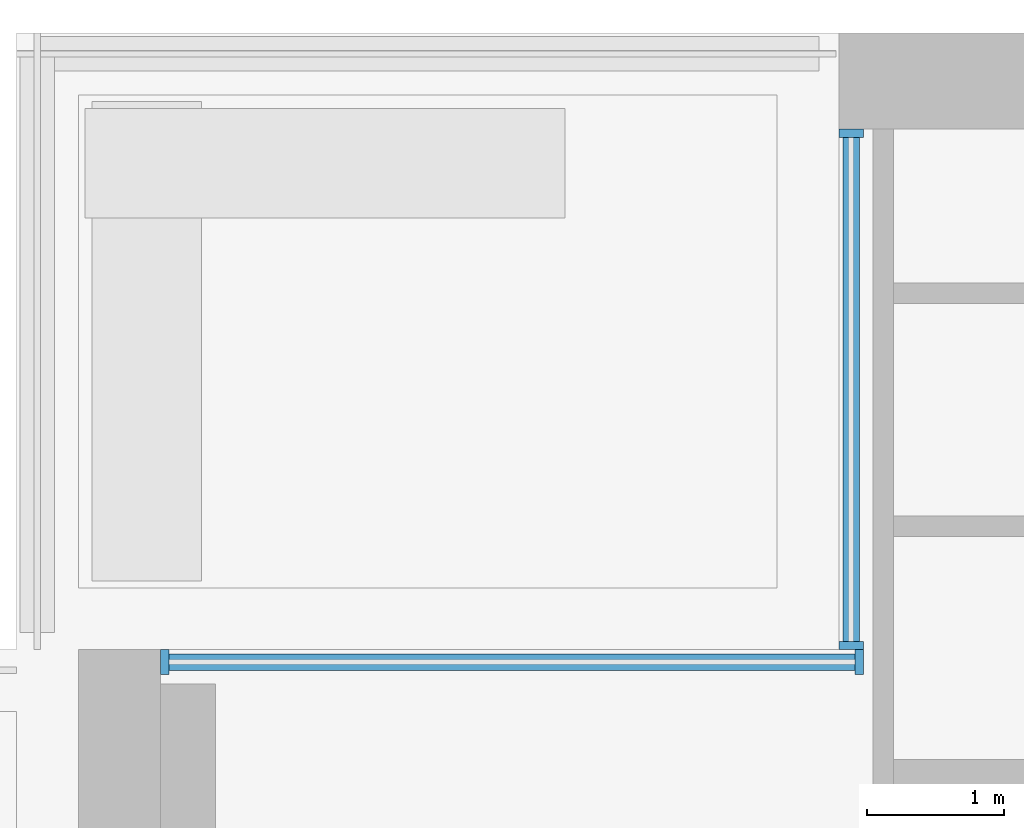
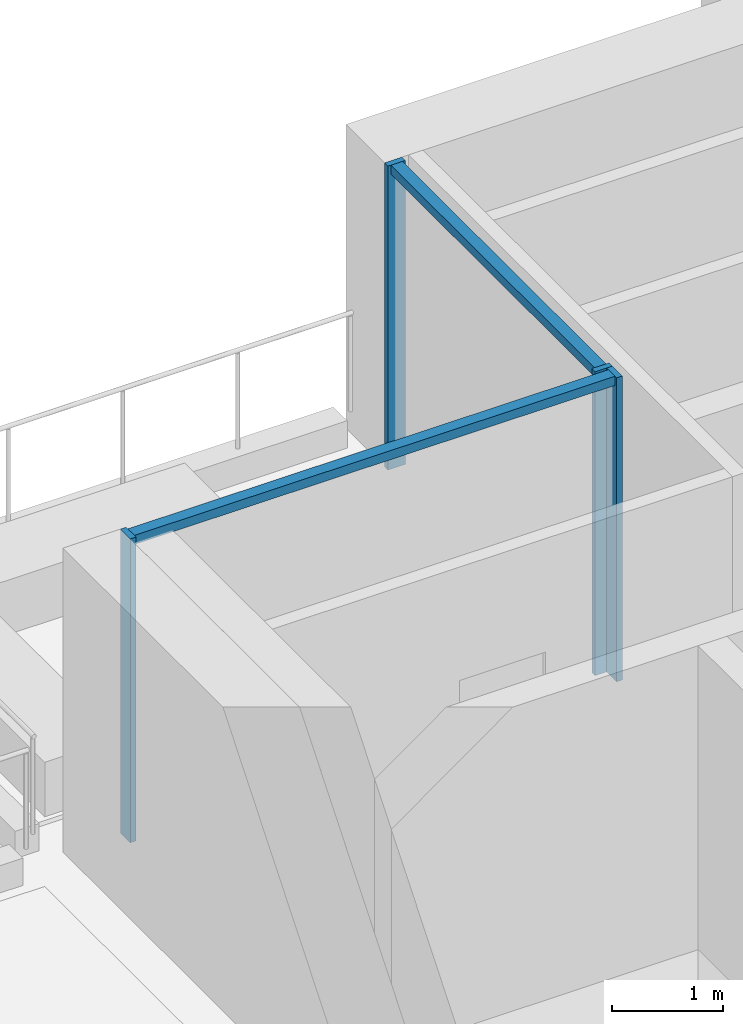
# One storey, part 4 of 19: 6 members, 2 elements without a shape of their own.
"""IFC4 building model written with IfcOpenShell, lengths in metres."""

from ifc_helpers import new_model, si_unit, direction, frame, origin, origin_2d, place, context, subcontext, project, spatial, rectangle, extrude, material, material_profile, profile_set, type_object, element, aggregate, save


model = new_model("IFC4")

# Units and contexts
model_context = context("Model", 3, precision=1e-05, world=origin(), true_north=direction((0.0, 1.0)))
body_context = subcontext(model_context, "Body", "Model", "MODEL_VIEW")
ifc_project = project(units=[si_unit("LENGTHUNIT", "METRE"), si_unit("AREAUNIT", "SQUARE_METRE"), si_unit("VOLUMEUNIT", "CUBIC_METRE"), si_unit("PLANEANGLEUNIT", "RADIAN"), si_unit("MASSUNIT", "GRAM", prefix="KILO")], contexts=[model_context])

# Site, building, storey
site_placement = place(None, origin())
site = spatial("IfcSite", under=ifc_project, at=site_placement, CompositionType="ELEMENT")
building_placement = place(site_placement, origin())
building = spatial("IfcBuilding", under=site, at=building_placement, Name="Calvaro Tower", CompositionType="ELEMENT")
storey_placement = place(building_placement, frame((0.0, 0.0, 166.75)))
storey = spatial("IfcBuildingStorey", under=building, at=storey_placement, Name="L41", CompositionType="ELEMENT", Elevation=166.75)

# Curtain wall, members
ifc_material_1 = material(Name="Anodised aluminium", Category="aluminium")
curtain_wall_type = type_object("IfcCurtainWallType", Name="Office curtain wall, upper zone", PredefinedType="NOTDEFINED", material=ifc_material_1)
curtain_wall_1_placement = place(storey_placement, origin())
curtain_wall_1 = element("IfcCurtainWall", 1, at=curtain_wall_1_placement, inside=storey, type_object=curtain_wall_type, Name="CW3 corner curtain wall", PredefinedType="NOTDEFINED")
ifc_material_2 = material(Name="Anodised aluminium", Category="aluminium")
ifc_material_profile_1 = material_profile(ifc_material_2, rectangle(XDim=0.179931640625, YDim=0.06005859375, at=origin_2d()), Name="Mullion S3 60 x 180")
ifc_profile_set_1 = profile_set([ifc_material_profile_1], Name="Anodised aluminium")
member_type_1 = type_object("IfcMemberType", Name="Mullion S3 60 x 180", PredefinedType="MULLION", material=ifc_profile_set_1)
member_1_placement = place(storey_placement, frame((11.639892578125, 41.530029296875, 0.0), z_axis=(0.0, 0.0, 1.0), x_axis=(-1.0, 0.0, 0.0)))
member_1 = element("IfcMember", 2, at=member_1_placement, type_object=member_type_1, Name="CW3 mullion 1", PredefinedType="MULLION", context=body_context, shape_type="SweptSolid", body=[
    extrude(rectangle(XDim=0.179931640625, YDim=0.06005859375, at=origin_2d()), origin(), (0.0, 0.0, 1.0), 3.35009765625),
])
member_2_placement = place(storey_placement, frame((11.639892578125, 45.27001953125, 0.0), z_axis=(0.0, 0.0, 1.0), x_axis=(-1.0, 0.0, 0.0)))
member_2 = element("IfcMember", 3, at=member_2_placement, type_object=member_type_1, Name="CW3 mullion 2", PredefinedType="MULLION", context=body_context, shape_type="SweptSolid", body=[
    extrude(rectangle(XDim=0.179931640625, YDim=0.06005859375, at=origin_2d()), origin(), (0.0, 0.0, 1.0), 3.35009765625),
])

curtain_wall_2_placement = place(storey_placement, origin())
curtain_wall_2 = element("IfcCurtainWall", 4, at=curtain_wall_2_placement, inside=storey, type_object=curtain_wall_type, Name="CW3 corner curtain wall", PredefinedType="NOTDEFINED")
member_3_placement = place(storey_placement, frame((6.6298828125, 41.409912109375, 0.0), z_axis=(0.0, 0.0, 1.0), x_axis=(0.0, 1.0, 0.0)))
member_3 = element("IfcMember", 5, at=member_3_placement, type_object=member_type_1, Name="CW3 mullion 1", PredefinedType="MULLION", context=body_context, shape_type="SweptSolid", body=[
    extrude(rectangle(XDim=0.179931640625, YDim=0.06005859375, at=origin_2d()), origin(), (0.0, 0.0, 1.0), 3.35009765625),
])
member_4_placement = place(storey_placement, frame((11.699951171875, 41.409912109375, 0.0), z_axis=(0.0, 0.0, 1.0), x_axis=(0.0, 1.0, 0.0)))
member_4 = element("IfcMember", 6, at=member_4_placement, type_object=member_type_1, Name="CW3 mullion 2", PredefinedType="MULLION", context=body_context, shape_type="SweptSolid", body=[
    extrude(rectangle(XDim=0.179931640625, YDim=0.06005859375, at=origin_2d()), origin(), (0.0, 0.0, 1.0), 3.35009765625),
])

# Member
ifc_material_3 = material(Name="Anodised aluminium", Category="aluminium")
ifc_material_profile_2 = material_profile(ifc_material_3, rectangle(XDim=0.1201171875, YDim=0.10009765625, at=origin_2d()), Name="Transom S3 100 x 120")
ifc_profile_set_2 = profile_set([ifc_material_profile_2], Name="Anodised aluminium")
member_type_2 = type_object("IfcMemberType", Name="Transom S3 100 x 120", PredefinedType="USERDEFINED", material=ifc_profile_set_2)
member_5_placement = place(storey_placement, frame((11.639892578125, 41.56005859375, 3.300048828125), z_axis=(0.0, 1.0, 0.0), x_axis=(-1.0, 0.0, 0.0)))
member_5 = element("IfcMember", 7, at=member_5_placement, type_object=member_type_2, Name="CW3 transom 1.1", ObjectType="TRANSOM", PredefinedType="USERDEFINED", context=body_context, shape_type="SweptSolid", body=[
    extrude(rectangle(XDim=0.1201171875, YDim=0.10009765625, at=origin_2d()), origin(), (0.0, 0.0, 1.0), 3.679931640625),
])

aggregate(curtain_wall_1, [member_1, member_2, member_5])

member_6_placement = place(storey_placement, frame((6.659912109375, 41.409912109375, 3.300048828125), z_axis=(1.0, 0.0, 0.0), x_axis=(0.0, 1.0, 0.0)))
member_6 = element("IfcMember", 8, at=member_6_placement, type_object=member_type_2, Name="CW3 transom 1.1", ObjectType="TRANSOM", PredefinedType="USERDEFINED", context=body_context, shape_type="SweptSolid", body=[
    extrude(rectangle(XDim=0.1201171875, YDim=0.10009765625, at=origin_2d()), origin(), (0.0, 0.0, 1.0), 5.010009765625),
])

aggregate(curtain_wall_2, [member_3, member_4, member_6])

save(model, "model.ifc")
